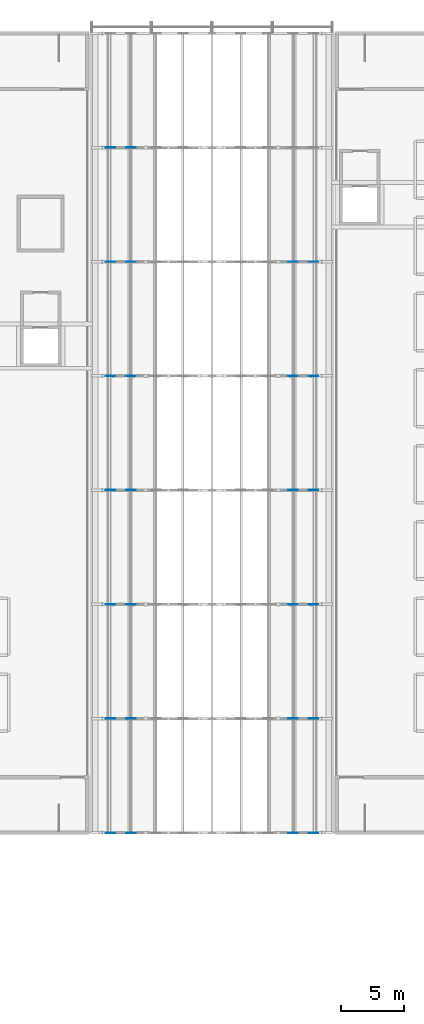
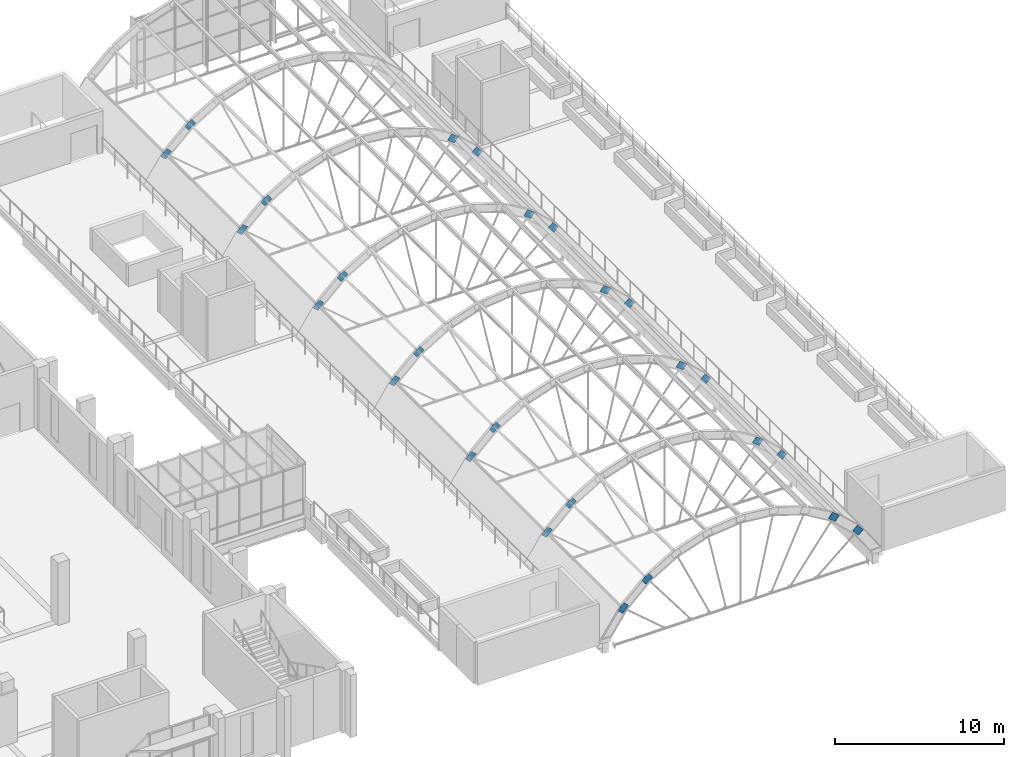
# One storey, part 63 of 79: 52 discrete accessories.
"""IFC4 building model written with IfcOpenShell, lengths in metres."""

from ifc_helpers import new_model, si_unit, direction, frame, origin, origin_2d, place, context, subcontext, project, spatial, rectangle, extrude, material, material_profile, profile_set, type_object, element, save


model = new_model("IFC4")

# Units and contexts
model_context = context("Model", 3, precision=1e-05, world=origin(), true_north=direction((0.0, 1.0)))
body_context = subcontext(model_context, "Body", "Model", "MODEL_VIEW")
ifc_project = project(units=[si_unit("LENGTHUNIT", "METRE"), si_unit("AREAUNIT", "SQUARE_METRE"), si_unit("VOLUMEUNIT", "CUBIC_METRE"), si_unit("PLANEANGLEUNIT", "RADIAN"), si_unit("MASSUNIT", "GRAM", prefix="KILO")], contexts=[model_context])

# Site, building, storey
site_placement = place(None, origin())
site = spatial("IfcSite", under=ifc_project, at=site_placement, CompositionType="ELEMENT")
building_placement = place(site_placement, origin())
building = spatial("IfcBuilding", under=site, at=building_placement, Name="Guidao Yard Department Store", CompositionType="ELEMENT")
storey_placement = place(building_placement, frame((0.0, 0.0, 15.0)))
storey = spatial("IfcBuildingStorey", under=building, at=storey_placement, Name="L03", CompositionType="ELEMENT", Elevation=15.0)

# Discrete accessories
ifc_material = material(Name="Steel Q355B", Category="steel")
ifc_material_profile = material_profile(ifc_material, rectangle(XDim=0.011962890625, YDim=0.449951171875, at=origin_2d()), Name="Splice plate 450x12")
ifc_profile_set = profile_set([ifc_material_profile], Name="Steel Q355B")
discrete_accessory_type = type_object("IfcDiscreteAccessoryType", Name="Rib splice plate SP2 steel", PredefinedType="BRACKET", material=ifc_profile_set)
for number, where, z_axis, x_axis, name in (
    (1, (81.797607421875, 44.988525390625, 1.788818359375), (0.649618131171, 0.0, 0.760260668227), (0.0, 1.0, 0.0), "Rib splice plate C01-01A"),
    (2, (81.797607421875, 45.011474609375, 1.788818359375), (0.649618131171, 0.0, 0.760260668227), (0.0, 1.0, 0.0), "Rib splice plate C01-01B"),
    (3, (83.392333984375, 44.988525390625, 3.375244140625), (0.799560332416, 0.0, 0.60058577641), (0.0, 1.0, 0.0), "Rib splice plate C01-02A"),
    (4, (83.392333984375, 45.011474609375, 3.375244140625), (0.799560332416, 0.0, 0.60058577641), (0.0, 1.0, 0.0), "Rib splice plate C01-02B"),
    (5, (96.1279296875, 44.988525390625, 3.735595703125), (0.799560332416, 0.0, -0.60058577641), (0.0, 1.0, 0.0), "Rib splice plate C01-08A"),
    (6, (96.1279296875, 45.011474609375, 3.735595703125), (0.799560332416, 0.0, -0.60058577641), (0.0, 1.0, 0.0), "Rib splice plate C01-08B"),
    (7, (97.8125, 44.988525390625, 2.2451171875), (0.649618131171, 0.0, -0.760260668227), (0.0, 1.0, 0.0), "Rib splice plate C01-09A"),
    (8, (97.8125, 45.011474609375, 2.2451171875), (0.649618131171, 0.0, -0.760260668227), (0.0, 1.0, 0.0), "Rib splice plate C01-09B"),
    (9, (81.797607421875, 53.988525390625, 1.788818359375), (0.649618131171, 0.0, 0.760260668227), (0.0, 1.0, 0.0), "Rib splice plate C02-01A"),
    (10, (81.797607421875, 54.011474609375, 1.788818359375), (0.649618131171, 0.0, 0.760260668227), (0.0, 1.0, 0.0), "Rib splice plate C02-01B"),
    (11, (83.392333984375, 53.988525390625, 3.375244140625), (0.799560332416, 0.0, 0.60058577641), (0.0, 1.0, 0.0), "Rib splice plate C02-02A"),
    (12, (83.392333984375, 54.011474609375, 3.375244140625), (0.799560332416, 0.0, 0.60058577641), (0.0, 1.0, 0.0), "Rib splice plate C02-02B"),
    (13, (96.1279296875, 53.988525390625, 3.735595703125), (0.799560332416, 0.0, -0.60058577641), (0.0, 1.0, 0.0), "Rib splice plate C02-08A"),
    (14, (96.1279296875, 54.011474609375, 3.735595703125), (0.799560332416, 0.0, -0.60058577641), (0.0, 1.0, 0.0), "Rib splice plate C02-08B"),
    (15, (97.8125, 53.988525390625, 2.2451171875), (0.649618131171, 0.0, -0.760260668227), (0.0, 1.0, 0.0), "Rib splice plate C02-09A"),
    (16, (97.8125, 54.011474609375, 2.2451171875), (0.649618131171, 0.0, -0.760260668227), (0.0, 1.0, 0.0), "Rib splice plate C02-09B"),
    (17, (81.797607421875, 62.988525390625, 1.788818359375), (0.649618131171, 0.0, 0.760260668227), (0.0, 1.0, 0.0), "Rib splice plate C03-01A"),
    (18, (81.797607421875, 63.011474609375, 1.788818359375), (0.649618131171, 0.0, 0.760260668227), (0.0, 1.0, 0.0), "Rib splice plate C03-01B"),
    (19, (83.392333984375, 62.988525390625, 3.375244140625), (0.799560332416, 0.0, 0.60058577641), (0.0, 1.0, 0.0), "Rib splice plate C03-02A"),
    (20, (83.392333984375, 63.011474609375, 3.375244140625), (0.799560332416, 0.0, 0.60058577641), (0.0, 1.0, 0.0), "Rib splice plate C03-02B"),
    (21, (96.1279296875, 62.988525390625, 3.735595703125), (0.799560332416, 0.0, -0.60058577641), (0.0, 1.0, 0.0), "Rib splice plate C03-08A"),
    (22, (96.1279296875, 63.011474609375, 3.735595703125), (0.799560332416, 0.0, -0.60058577641), (0.0, 1.0, 0.0), "Rib splice plate C03-08B"),
    (23, (97.8125, 62.988525390625, 2.2451171875), (0.649618131171, 0.0, -0.760260668227), (0.0, 1.0, 0.0), "Rib splice plate C03-09A"),
    (24, (97.8125, 63.011474609375, 2.2451171875), (0.649618131171, 0.0, -0.760260668227), (0.0, 1.0, 0.0), "Rib splice plate C03-09B"),
    (25, (81.797607421875, 71.988525390625, 1.788818359375), (0.649618131171, 0.0, 0.760260668227), (0.0, 1.0, 0.0), "Rib splice plate C04-01A"),
    (26, (81.797607421875, 72.011474609375, 1.788818359375), (0.649618131171, 0.0, 0.760260668227), (0.0, 1.0, 0.0), "Rib splice plate C04-01B"),
    (27, (83.392333984375, 71.988525390625, 3.375244140625), (0.799560332416, 0.0, 0.60058577641), (0.0, 1.0, 0.0), "Rib splice plate C04-02A"),
    (28, (83.392333984375, 72.011474609375, 3.375244140625), (0.799560332416, 0.0, 0.60058577641), (0.0, 1.0, 0.0), "Rib splice plate C04-02B"),
    (29, (96.1279296875, 71.988525390625, 3.735595703125), (0.799560332416, 0.0, -0.60058577641), (0.0, 1.0, 0.0), "Rib splice plate C04-08A"),
    (30, (96.1279296875, 72.011474609375, 3.735595703125), (0.799560332416, 0.0, -0.60058577641), (0.0, 1.0, 0.0), "Rib splice plate C04-08B"),
    (31, (97.8125, 71.988525390625, 2.2451171875), (0.649618131171, 0.0, -0.760260668227), (0.0, 1.0, 0.0), "Rib splice plate C04-09A"),
    (32, (97.8125, 72.011474609375, 2.2451171875), (0.649618131171, 0.0, -0.760260668227), (0.0, 1.0, 0.0), "Rib splice plate C04-09B"),
    (33, (81.797607421875, 80.988525390625, 1.788818359375), (0.649618131171, 0.0, 0.760260668227), (0.0, 1.0, 0.0), "Rib splice plate C05-01A"),
    (34, (81.797607421875, 81.011474609375, 1.788818359375), (0.649618131171, 0.0, 0.760260668227), (0.0, 1.0, 0.0), "Rib splice plate C05-01B"),
    (35, (83.392333984375, 80.988525390625, 3.375244140625), (0.799560332416, 0.0, 0.60058577641), (0.0, 1.0, 0.0), "Rib splice plate C05-02A"),
    (36, (83.392333984375, 81.011474609375, 3.375244140625), (0.799560332416, 0.0, 0.60058577641), (0.0, 1.0, 0.0), "Rib splice plate C05-02B"),
    (37, (96.1279296875, 80.988525390625, 3.735595703125), (0.799560332416, 0.0, -0.60058577641), (0.0, 1.0, 0.0), "Rib splice plate C05-08A"),
    (38, (96.1279296875, 81.011474609375, 3.735595703125), (0.799560332416, 0.0, -0.60058577641), (0.0, 1.0, 0.0), "Rib splice plate C05-08B"),
    (39, (97.8125, 80.988525390625, 2.2451171875), (0.649618131171, 0.0, -0.760260668227), (0.0, 1.0, 0.0), "Rib splice plate C05-09A"),
    (40, (97.8125, 81.011474609375, 2.2451171875), (0.649618131171, 0.0, -0.760260668227), (0.0, 1.0, 0.0), "Rib splice plate C05-09B"),
    (41, (81.797607421875, 89.988525390625, 1.788818359375), (0.649618131171, 0.0, 0.760260668227), (0.0, 1.0, 0.0), "Rib splice plate C06-01A"),
    (42, (81.797607421875, 90.011474609375, 1.788818359375), (0.649618131171, 0.0, 0.760260668227), (0.0, 1.0, 0.0), "Rib splice plate C06-01B"),
    (43, (83.392333984375, 89.988525390625, 3.375244140625), (0.799560332416, 0.0, 0.60058577641), (0.0, 1.0, 0.0), "Rib splice plate C06-02A"),
    (44, (83.392333984375, 90.011474609375, 3.375244140625), (0.799560332416, 0.0, 0.60058577641), (0.0, 1.0, 0.0), "Rib splice plate C06-02B"),
    (45, (96.1279296875, 89.988525390625, 3.735595703125), (0.799560332416, 0.0, -0.60058577641), (0.0, 1.0, 0.0), "Rib splice plate C06-08A"),
    (46, (96.1279296875, 90.011474609375, 3.735595703125), (0.799560332416, 0.0, -0.60058577641), (0.0, 1.0, 0.0), "Rib splice plate C06-08B"),
    (47, (97.8125, 89.988525390625, 2.2451171875), (0.649618131171, 0.0, -0.760260668227), (0.0, 1.0, 0.0), "Rib splice plate C06-09A"),
    (48, (97.8125, 90.011474609375, 2.2451171875), (0.649618131171, 0.0, -0.760260668227), (0.0, 1.0, 0.0), "Rib splice plate C06-09B"),
    (49, (81.797607421875, 98.988525390625, 1.788818359375), (0.649618131171, 0.0, 0.760260668227), (0.0, 1.0, 0.0), "Rib splice plate C07-01A"),
    (50, (81.797607421875, 99.011474609375, 1.788818359375), (0.649618131171, 0.0, 0.760260668227), (0.0, 1.0, 0.0), "Rib splice plate C07-01B"),
    (51, (83.392333984375, 98.988525390625, 3.375244140625), (0.799560332416, 0.0, 0.60058577641), (0.0, 1.0, 0.0), "Rib splice plate C07-02A"),
    (52, (83.392333984375, 99.011474609375, 3.375244140625), (0.799560332416, 0.0, 0.60058577641), (0.0, 1.0, 0.0), "Rib splice plate C07-02B"),
):
    element("IfcDiscreteAccessory", number, at=place(storey_placement, frame(where, z_axis=z_axis, x_axis=x_axis)), inside=storey, type_object=discrete_accessory_type, Name=name, PredefinedType="BRACKET", context=body_context, shape_type="SweptSolid", body=[
        extrude(rectangle(XDim=0.011962890625, YDim=0.449951171875, at=origin_2d()), origin(), (0.0, 0.0, 1.0), 0.60009765625),
    ])

save(model, "model.ifc")
